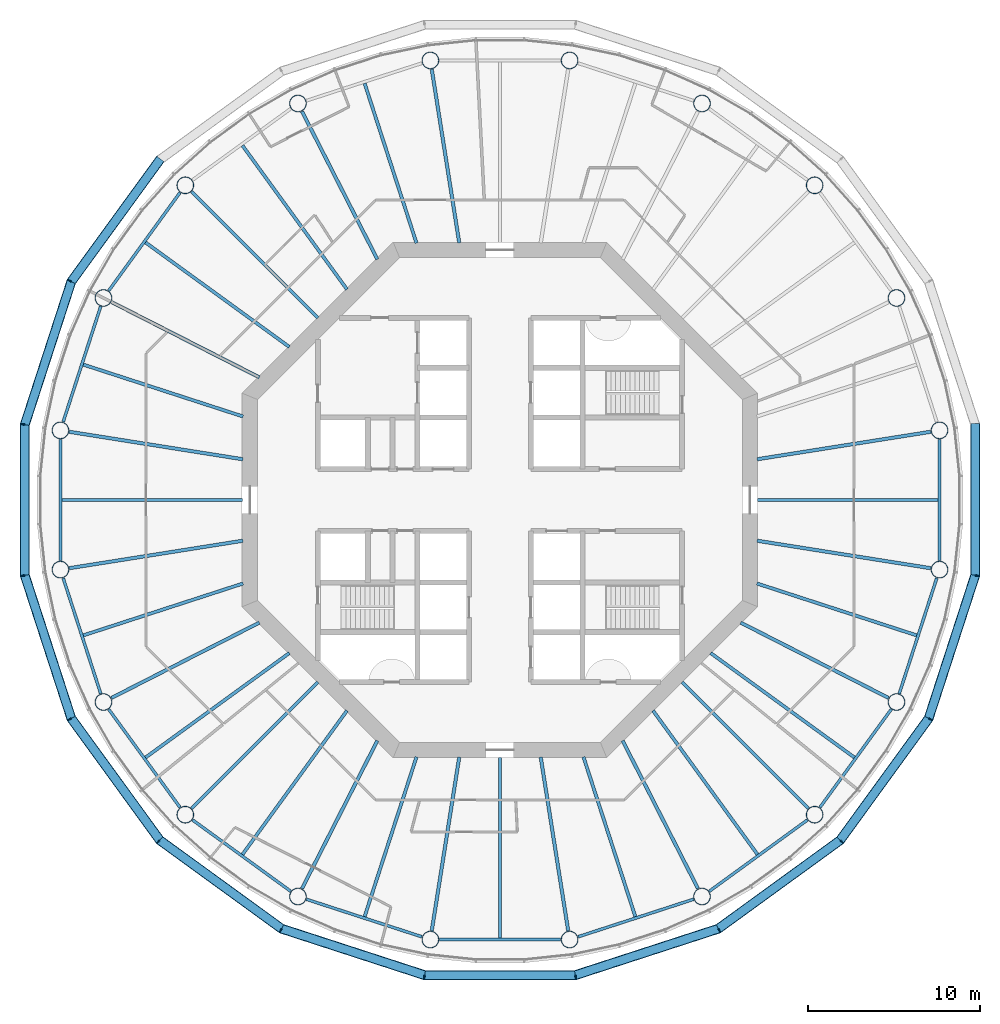
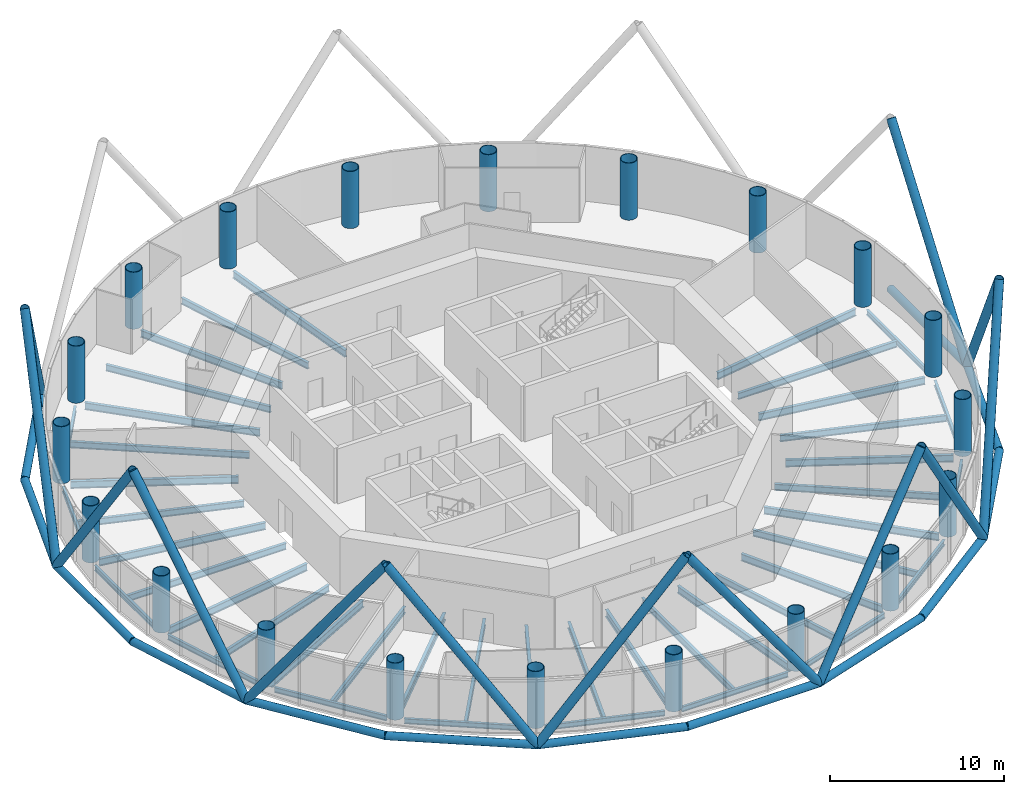
# One storey, part 1 of 12: 44 beams, 26 members, 20 columns.
"""IFC4 building model written with IfcOpenShell, lengths in metres."""

from ifc_helpers import new_model, si_unit, direction, frame, origin, origin_2d, place, context, subcontext, project, spatial, circle, hollow_circle, i_section, extrude, material, material_profile, profile_set, type_object, element, save


model = new_model("IFC4")

# Units and contexts
model_context = context("Model", 3, precision=1e-05, world=origin(), true_north=direction((0.0, 1.0)))
body_context = subcontext(model_context, "Body", "Model", "MODEL_VIEW")
ifc_project = project(units=[si_unit("LENGTHUNIT", "METRE"), si_unit("AREAUNIT", "SQUARE_METRE"), si_unit("VOLUMEUNIT", "CUBIC_METRE"), si_unit("PLANEANGLEUNIT", "RADIAN"), si_unit("MASSUNIT", "GRAM", prefix="KILO")], contexts=[model_context])

# Site, building, storey
site_placement = place(None, origin())
site = spatial("IfcSite", under=ifc_project, at=site_placement, CompositionType="ELEMENT")
building_placement = place(site_placement, origin())
building = spatial("IfcBuilding", under=site, at=building_placement, Name="Entoto Ring Tower", CompositionType="ELEMENT")
storey_placement = place(building_placement, frame((0.0, 0.0, 238.0)))
storey = spatial("IfcBuildingStorey", under=building, at=storey_placement, Name="L54", CompositionType="ELEMENT", Elevation=238.0)

# Columns
ifc_material_1 = material(Name="Steel S355", Category="steel")
ifc_material_profile_1 = material_profile(ifc_material_1, hollow_circle(Radius=0.5, WallThickness=0.0400390625, at=origin_2d()), Name="CHS 1000 x 40")
ifc_material_2 = material(Name="Concrete C60/75", Category="concrete")
ifc_material_profile_2 = material_profile(ifc_material_2, circle(Radius=0.4599609375, at=origin_2d()), Name="Concrete C60/75 infill")
ifc_profile_set_1 = profile_set([ifc_material_profile_1, ifc_material_profile_2], Name="Steel S355")
column_type = type_object("IfcColumnType", Name="Ring column 1000 x 40 concrete-filled tube", PredefinedType="COLUMN", material=ifc_profile_set_1)
for number, where, z_axis, x_axis, name in (
    (1, (115.5810546875, 84.0517578125, 0.0), (0.0, 0.0, 1.0), (1.0, 0.0, 0.0), "RC4 R01"),
    (2, (113.0771484375, 91.75830078125, 0.0), (0.0, 0.0, 1.0), (1.0, 0.0, 0.0), "RC4 R02"),
    (3, (108.31396484375, 98.31396484375, 0.0), (0.0, 0.0, 1.0), (1.0, 0.0, 0.0), "RC4 R03"),
    (4, (101.75830078125, 103.0771484375, 0.0), (0.0, 0.0, 1.0), (1.0, 0.0, 0.0), "RC4 R04"),
    (5, (94.0517578125, 105.5810546875, 0.0), (0.0, 0.0, 1.0), (1.0, 0.0, 0.0), "RC4 R05"),
    (6, (85.9482421875, 105.5810546875, 0.0), (0.0, 0.0, 1.0), (1.0, 0.0, 0.0), "RC4 R06"),
    (7, (78.24169921875, 103.0771484375, 0.0), (0.0, 0.0, 1.0), (1.0, 0.0, 0.0), "RC4 R07"),
    (8, (71.68603515625, 98.31396484375, 0.0), (0.0, 0.0, 1.0), (1.0, 0.0, 0.0), "RC4 R08"),
    (9, (66.9228515625, 91.75830078125, 0.0), (0.0, 0.0, 1.0), (1.0, 0.0, 0.0), "RC4 R09"),
    (10, (64.4189453125, 84.0517578125, 0.0), (0.0, 0.0, 1.0), (1.0, 0.0, 0.0), "RC4 R10"),
    (11, (64.4189453125, 75.9482421875, 0.0), (0.0, 0.0, 1.0), (1.0, 0.0, 0.0), "RC4 R11"),
    (12, (66.9228515625, 68.24169921875, 0.0), (0.0, 0.0, 1.0), (1.0, 0.0, 0.0), "RC4 R12"),
    (13, (71.68603515625, 61.68603515625, 0.0), (0.0, 0.0, 1.0), (1.0, 0.0, 0.0), "RC4 R13"),
    (14, (78.24169921875, 56.9228515625, 0.0), (0.0, 0.0, 1.0), (1.0, 0.0, 0.0), "RC4 R14"),
    (15, (85.9482421875, 54.4189453125, 0.0), (0.0, 0.0, 1.0), (1.0, 0.0, 0.0), "RC4 R15"),
    (16, (94.0517578125, 54.4189453125, 0.0), (0.0, 0.0, 1.0), (1.0, 0.0, 0.0), "RC4 R16"),
    (17, (101.75830078125, 56.9228515625, 0.0), (0.0, 0.0, 1.0), (1.0, 0.0, 0.0), "RC4 R17"),
    (18, (108.31396484375, 61.68603515625, 0.0), (0.0, 0.0, 1.0), (1.0, 0.0, 0.0), "RC4 R18"),
    (19, (113.0771484375, 68.24169921875, 0.0), (0.0, 0.0, 1.0), (1.0, 0.0, 0.0), "RC4 R19"),
    (20, (115.5810546875, 75.9482421875, 0.0), (0.0, 0.0, 1.0), (1.0, 0.0, 0.0), "RC4 R20"),
):
    element("IfcColumn", number, at=place(storey_placement, frame(where, z_axis=z_axis, x_axis=x_axis)), inside=storey, type_object=column_type, Name=name, PredefinedType="COLUMN", context=body_context, shape_type="SweptSolid", body=[
        extrude(hollow_circle(Radius=0.5, WallThickness=0.0400390625, at=origin_2d()), origin(), (0.0, 0.0, 1.0), 4.0),
    ])

# Members
ifc_material_3 = material(Name="Steel S355", Category="steel")
ifc_material_profile_3 = material_profile(ifc_material_3, hollow_circle(Radius=0.279541015625, WallThickness=0.028076171875, at=origin_2d()), Name="CHS 559 x 28")
ifc_material_4 = material(Name="Concrete C60/75", Category="concrete")
ifc_material_profile_4 = material_profile(ifc_material_4, circle(Radius=0.25146484375, at=origin_2d()), Name="Concrete C60/75 infill")
ifc_profile_set_2 = profile_set([ifc_material_profile_3, ifc_material_profile_4], Name="Steel S355")
member_type_1 = type_object("IfcMemberType", Name="Diagrid diagonal 559 x 28 concrete-filled tube", PredefinedType="BRACE", material=ifc_profile_set_2)
for number, where, z_axis, x_axis, name in (
    (21, (70.200927734375, 99.799072265625, 0.0), (-0.346570479178, -0.477025319356, 0.807673045022), (0.809024012567, -0.587775592458, 0.0), "DG5A module 18 08"),
    (22, (62.3447265625, 84.380126953125, 0.0), (0.182200752594, 0.56076685453, 0.807677795049), (-0.95105823263, 0.309011711991, 0.0), "DG5A module 18 09"),
    (23, (62.3447265625, 84.380126953125, 0.0), (0.0, -0.589622651769, 0.807678852342), (1.0, 0.0, 0.0), "DG5A module 18 10"),
    (24, (65.0517578125, 67.288330078125, 0.0), (-0.182200752594, 0.56076685453, 0.807677795049), (-0.95105823263, -0.309011711991, 0.0), "DG5A module 18 11"),
    (25, (65.0517578125, 67.288330078125, 0.0), (0.346570479178, -0.477025319356, 0.807673045022), (0.809024012567, 0.587775592458, 0.0), "DG5A module 18 12"),
    (26, (77.288330078125, 55.0517578125, 0.0), (-0.477025319356, 0.346570479178, 0.807673045022), (-0.587775592458, -0.809024012567, 0.0), "DG5A module 18 13"),
    (27, (77.288330078125, 55.0517578125, 0.0), (0.56076685453, -0.182200752594, 0.807677795049), (0.309011711991, 0.95105823263, 0.0), "DG5A module 18 14"),
    (28, (94.380126953125, 52.3447265625, 0.0), (-0.589622651769, 0.0, 0.807678852342), (0.0, -1.0, 0.0), "DG5A module 18 15"),
    (29, (94.380126953125, 52.3447265625, 0.0), (0.56076685453, 0.182200752594, 0.807677795049), (-0.309011711991, 0.95105823263, 0.0), "DG5A module 18 16"),
    (30, (109.799072265625, 60.200927734375, 0.0), (-0.477025319356, -0.346570479178, 0.807673045022), (0.587775592458, -0.809024012567, 0.0), "DG5A module 18 17"),
    (31, (109.799072265625, 60.200927734375, 0.0), (0.346570479178, 0.477025319356, 0.807673045022), (-0.809024012567, 0.587775592458, 0.0), "DG5A module 18 18"),
    (32, (117.6552734375, 75.619873046875, 0.0), (-0.182200752594, -0.56076685453, 0.807677795049), (0.95105823263, -0.309011711991, 0.0), "DG5A module 18 19"),
    (33, (117.6552734375, 75.619873046875, 0.0), (0.0, 0.589622651769, 0.807678852342), (-1.0, 0.0, 0.0), "DG5A module 18 20"),
):
    element("IfcMember", number, at=place(storey_placement, frame(where, z_axis=z_axis, x_axis=x_axis)), inside=storey, type_object=member_type_1, Name=name, PredefinedType="BRACE", context=body_context, shape_type="SweptSolid", body=[
        extrude(hollow_circle(Radius=0.279541015625, WallThickness=0.028076171875, at=origin_2d()), origin(), (0.0, 0.0, 1.0), 14.857421875),
    ])
ifc_material_5 = material(Name="Steel S355", Category="steel")
ifc_material_profile_5 = material_profile(ifc_material_5, hollow_circle(Radius=0.25390625, WallThickness=0.030029296875, at=origin_2d()), Name="CHS 508 x 30")
ifc_material_6 = material(Name="Concrete C60/75", Category="concrete")
ifc_material_profile_6 = material_profile(ifc_material_6, circle(Radius=0.22412109375, at=origin_2d()), Name="Concrete C60/75 infill")
ifc_profile_set_3 = profile_set([ifc_material_profile_5, ifc_material_profile_6], Name="Steel S355")
member_type_2 = type_object("IfcMemberType", Name="Diagrid ring beam 508 x 30", PredefinedType="CHORD", material=ifc_profile_set_3)
for number, where, z_axis, x_axis, name in (
    (34, (70.236328125, 99.84765625, 0.0), (-0.587790766961, -0.809012987705, 0.0), (0.809012987705, -0.587790766961, 0.0), "DR2 ring 17 07"),
    (35, (65.0703125, 92.76904296875, 0.0), (-0.309002151976, -0.951061338755, 0.0), (0.951061338755, -0.309002151976, 0.0), "DR2 ring 17 08"),
):
    element("IfcMember", number, at=place(storey_placement, frame(where, z_axis=z_axis, x_axis=x_axis)), inside=storey, type_object=member_type_2, Name=name, PredefinedType="CHORD", context=body_context, shape_type="SweptSolid", body=[
        extrude(hollow_circle(Radius=0.25390625, WallThickness=0.030029296875, at=origin_2d()), origin(), (0.0, 0.0, 1.0), 8.880615234375),
    ])
member_1_placement = place(storey_placement, frame((62.3447265625, 84.4404296875, 0.0), z_axis=(0.0, -1.0, 0.0), x_axis=(1.0, 0.0, 0.0)))
element("IfcMember", 36, at=member_1_placement, inside=storey, type_object=member_type_2, Name="DR2 ring 17 09", PredefinedType="CHORD", context=body_context, shape_type="SweptSolid", body=[
    extrude(hollow_circle(Radius=0.25390625, WallThickness=0.030029296875, at=origin_2d()), origin(), (0.0, 0.0, 1.0), 8.880859375),
])
for number, where, z_axis, x_axis, name in (
    (37, (62.326171875, 75.677001953125, 0.0), (0.309002151976, -0.951061338755, 0.0), (0.951061338755, 0.309002151976, 0.0), "DR2 ring 17 10"),
    (38, (65.016357421875, 67.3369140625, 0.0), (0.587790766961, -0.809012987705, 0.0), (0.809012987705, 0.587790766961, 0.0), "DR2 ring 17 11"),
    (39, (70.15234375, 60.236328125, 0.0), (0.809012987705, -0.587790766961, 0.0), (0.587790766961, 0.809012987705, 0.0), "DR2 ring 17 12"),
    (40, (77.23095703125, 55.0703125, 0.0), (0.951061338755, -0.309002151976, 0.0), (0.309002151976, 0.951061338755, 0.0), "DR2 ring 17 13"),
):
    element("IfcMember", number, at=place(storey_placement, frame(where, z_axis=z_axis, x_axis=x_axis)), inside=storey, type_object=member_type_2, Name=name, PredefinedType="CHORD", context=body_context, shape_type="SweptSolid", body=[
        extrude(hollow_circle(Radius=0.25390625, WallThickness=0.030029296875, at=origin_2d()), origin(), (0.0, 0.0, 1.0), 8.880615234375),
    ])
member_2_placement = place(storey_placement, frame((85.5595703125, 52.3447265625, 0.0), z_axis=(1.0, 0.0, 0.0), x_axis=(0.0, 1.0, 0.0)))
element("IfcMember", 41, at=member_2_placement, inside=storey, type_object=member_type_2, Name="DR2 ring 17 14", PredefinedType="CHORD", context=body_context, shape_type="SweptSolid", body=[
    extrude(hollow_circle(Radius=0.25390625, WallThickness=0.030029296875, at=origin_2d()), origin(), (0.0, 0.0, 1.0), 8.880859375),
])
for number, where, z_axis, x_axis, name in (
    (42, (94.322998046875, 52.326171875, 0.0), (0.951061338755, 0.309002151976, 0.0), (-0.309002151976, 0.951061338755, 0.0), "DR2 ring 17 15"),
    (43, (102.6630859375, 55.016357421875, 0.0), (0.809012987705, 0.587790766961, 0.0), (-0.587790766961, 0.809012987705, 0.0), "DR2 ring 17 16"),
    (44, (109.763671875, 60.15234375, 0.0), (0.587790766961, 0.809012987705, 0.0), (-0.809012987705, 0.587790766961, 0.0), "DR2 ring 17 17"),
    (45, (114.9296875, 67.23095703125, 0.0), (0.309002151976, 0.951061338755, 0.0), (-0.951061338755, 0.309002151976, 0.0), "DR2 ring 17 18"),
):
    element("IfcMember", number, at=place(storey_placement, frame(where, z_axis=z_axis, x_axis=x_axis)), inside=storey, type_object=member_type_2, Name=name, PredefinedType="CHORD", context=body_context, shape_type="SweptSolid", body=[
        extrude(hollow_circle(Radius=0.25390625, WallThickness=0.030029296875, at=origin_2d()), origin(), (0.0, 0.0, 1.0), 8.880615234375),
    ])
member_3_placement = place(storey_placement, frame((117.6552734375, 75.5595703125, 0.0), z_axis=(0.0, 1.0, 0.0), x_axis=(-1.0, 0.0, 0.0)))
element("IfcMember", 46, at=member_3_placement, inside=storey, type_object=member_type_2, Name="DR2 ring 17 19", PredefinedType="CHORD", context=body_context, shape_type="SweptSolid", body=[
    extrude(hollow_circle(Radius=0.25390625, WallThickness=0.030029296875, at=origin_2d()), origin(), (0.0, 0.0, 1.0), 8.880859375),
])

# Beams
ifc_material_7 = material(Name="Steel S355", Category="steel")
ifc_material_profile_7 = material_profile(ifc_material_7, i_section(OverallWidth=0.169921875, OverallDepth=0.360107421875, WebThickness=0.008056640625, FlangeThickness=0.0126953125, FilletRadius=0.01806640625, at=origin_2d()), Name="IPE 360")
ifc_profile_set_4 = profile_set([ifc_material_profile_7], Name="Steel S355")
beam_type_1 = type_object("IfcBeamType", Name="Edge beam IPE 360", PredefinedType="SPANDREL", material=ifc_profile_set_4)
for number, where, z_axis, x_axis, name in (
    (47, (71.37841796875, 97.890625, -0.330078125), (-0.587797242693, -0.809008282703, 0.0), (0.809008282703, -0.587797242693, 0.0), "Edge beam L54 08"),
    (48, (66.76123046875, 91.2607421875, -0.330078125), (-0.309015666013, -0.951056947905, 0.0), (0.951056947905, -0.309015666013, 0.0), "Edge beam L54 09"),
):
    element("IfcBeam", number, at=place(storey_placement, frame(where, z_axis=z_axis, x_axis=x_axis)), inside=storey, type_object=beam_type_1, Name=name, PredefinedType="SPANDREL", context=body_context, shape_type="SweptSolid", body=[
        extrude(i_section(OverallWidth=0.169921875, OverallDepth=0.360107421875, WebThickness=0.008056640625, FlangeThickness=0.0126953125, FilletRadius=0.01806640625, at=origin_2d()), origin(), (0.0, 0.0, 1.0), 7.056884765625),
    ])
beam_1_placement = place(storey_placement, frame((64.4189453125, 83.5283203125, -0.330078125), z_axis=(0.0, -1.0, 0.0), x_axis=(1.0, 0.0, 0.0)))
element("IfcBeam", 49, at=beam_1_placement, inside=storey, type_object=beam_type_1, Name="Edge beam L54 10", PredefinedType="SPANDREL", context=body_context, shape_type="SweptSolid", body=[
    extrude(i_section(OverallWidth=0.169921875, OverallDepth=0.360107421875, WebThickness=0.008056640625, FlangeThickness=0.0126953125, FilletRadius=0.01806640625, at=origin_2d()), origin(), (0.0, 0.0, 1.0), 7.056640625),
])
for number, where, z_axis, x_axis, name in (
    (50, (64.58056640625, 75.45068359375, -0.330078125), (0.309015666013, -0.951056947905, 0.0), (0.951056947905, 0.309015666013, 0.0), "Edge beam L54 11"),
    (51, (67.23046875, 67.818359375, -0.330078125), (0.587797242693, -0.809008282703, 0.0), (0.809008282703, 0.587797242693, 0.0), "Edge beam L54 12"),
    (52, (72.109375, 61.37841796875, -0.330078125), (0.809008282703, -0.587797242693, 0.0), (0.587797242693, 0.809008282703, 0.0), "Edge beam L54 13"),
    (53, (78.7392578125, 56.76123046875, -0.330078125), (0.951056947905, -0.309015666013, 0.0), (0.309015666013, 0.951056947905, 0.0), "Edge beam L54 14"),
):
    element("IfcBeam", number, at=place(storey_placement, frame(where, z_axis=z_axis, x_axis=x_axis)), inside=storey, type_object=beam_type_1, Name=name, PredefinedType="SPANDREL", context=body_context, shape_type="SweptSolid", body=[
        extrude(i_section(OverallWidth=0.169921875, OverallDepth=0.360107421875, WebThickness=0.008056640625, FlangeThickness=0.0126953125, FilletRadius=0.01806640625, at=origin_2d()), origin(), (0.0, 0.0, 1.0), 7.056884765625),
    ])
beam_2_placement = place(storey_placement, frame((86.4716796875, 54.4189453125, -0.330078125), z_axis=(1.0, 0.0, 0.0), x_axis=(0.0, 1.0, 0.0)))
element("IfcBeam", 54, at=beam_2_placement, inside=storey, type_object=beam_type_1, Name="Edge beam L54 15", PredefinedType="SPANDREL", context=body_context, shape_type="SweptSolid", body=[
    extrude(i_section(OverallWidth=0.169921875, OverallDepth=0.360107421875, WebThickness=0.008056640625, FlangeThickness=0.0126953125, FilletRadius=0.01806640625, at=origin_2d()), origin(), (0.0, 0.0, 1.0), 7.056640625),
])
for number, where, z_axis, x_axis, name in (
    (55, (94.54931640625, 54.58056640625, -0.330078125), (0.951056947905, 0.309015666013, 0.0), (-0.309015666013, 0.951056947905, 0.0), "Edge beam L54 16"),
    (56, (102.181640625, 57.23046875, -0.330078125), (0.809008282703, 0.587797242693, 0.0), (-0.587797242693, 0.809008282703, 0.0), "Edge beam L54 17"),
    (57, (108.62158203125, 62.109375, -0.330078125), (0.587797242693, 0.809008282703, 0.0), (-0.809008282703, 0.587797242693, 0.0), "Edge beam L54 18"),
    (58, (113.23876953125, 68.7392578125, -0.330078125), (0.309015666013, 0.951056947905, 0.0), (-0.951056947905, 0.309015666013, 0.0), "Edge beam L54 19"),
):
    element("IfcBeam", number, at=place(storey_placement, frame(where, z_axis=z_axis, x_axis=x_axis)), inside=storey, type_object=beam_type_1, Name=name, PredefinedType="SPANDREL", context=body_context, shape_type="SweptSolid", body=[
        extrude(i_section(OverallWidth=0.169921875, OverallDepth=0.360107421875, WebThickness=0.008056640625, FlangeThickness=0.0126953125, FilletRadius=0.01806640625, at=origin_2d()), origin(), (0.0, 0.0, 1.0), 7.056884765625),
    ])
beam_3_placement = place(storey_placement, frame((115.5810546875, 76.4716796875, -0.330078125), z_axis=(0.0, 1.0, 0.0), x_axis=(-1.0, 0.0, 0.0)))
element("IfcBeam", 59, at=beam_3_placement, inside=storey, type_object=beam_type_1, Name="Edge beam L54 20", PredefinedType="SPANDREL", context=body_context, shape_type="SweptSolid", body=[
    extrude(i_section(OverallWidth=0.169921875, OverallDepth=0.360107421875, WebThickness=0.008056640625, FlangeThickness=0.0126953125, FilletRadius=0.01806640625, at=origin_2d()), origin(), (0.0, 0.0, 1.0), 7.056640625),
])
ifc_material_8 = material(Name="Steel S355", Category="steel")
ifc_material_profile_8 = material_profile(ifc_material_8, i_section(OverallWidth=0.199951171875, OverallDepth=0.5, WebThickness=0.01025390625, FlangeThickness=0.01611328125, FilletRadius=0.02099609375, at=origin_2d()), Name="IPE 500")
ifc_profile_set_5 = profile_set([ifc_material_profile_8], Name="Steel S355")
beam_type_2 = type_object("IfcBeamType", Name="Primary floor beam IPE 500", PredefinedType="BEAM", material=ifc_profile_set_5)
for number, where, z_axis, x_axis, name in (
    (60, (104.964599609375, 82.3701171875, -0.39990234375), (0.987687565202, 0.156439360602, 0.0), (-0.156439360602, 0.987687565202, 0.0), "Primary L54 R01"),
    (61, (87.6298828125, 94.964599609375, -0.39990234375), (-0.156439360602, 0.987687565202, 0.0), (-0.987687565202, -0.156439360602, 0.0), "Primary L54 R06"),
):
    element("IfcBeam", number, at=place(storey_placement, frame(where, z_axis=z_axis, x_axis=x_axis)), inside=storey, type_object=beam_type_2, Name=name, PredefinedType="BEAM", context=body_context, shape_type="SweptSolid", body=[
        extrude(i_section(OverallWidth=0.199951171875, OverallDepth=0.5, WebThickness=0.01025390625, FlangeThickness=0.01611328125, FilletRadius=0.02099609375, at=origin_2d()), origin(), (0.0, 0.0, 1.0), 10.228271484375),
    ])
beam_4_placement = place(storey_placement, frame((82.863525390625, 94.006103515625, -0.39990234375), z_axis=(-0.453994308092, 0.891004583726, 0.0), x_axis=(-0.891004583726, -0.453994308092, 0.0)))
element("IfcBeam", 62, at=beam_4_placement, inside=storey, type_object=beam_type_2, Name="Primary L54 R07", PredefinedType="BEAM", context=body_context, shape_type="SweptSolid", body=[
    extrude(i_section(OverallWidth=0.199951171875, OverallDepth=0.5, WebThickness=0.01025390625, FlangeThickness=0.01611328125, FilletRadius=0.02099609375, at=origin_2d()), origin(), (0.0, 0.0, 1.0), 9.659912109375),
])
beam_5_placement = place(storey_placement, frame((79.407470703125, 90.592529296875, -0.39990234375), z_axis=(-0.707106781187, 0.707106781187, 0.0), x_axis=(-0.707106781187, -0.707106781187, 0.0)))
element("IfcBeam", 63, at=beam_5_placement, inside=storey, type_object=beam_type_2, Name="Primary L54 R08", PredefinedType="BEAM", context=body_context, shape_type="SweptSolid", body=[
    extrude(i_section(OverallWidth=0.199951171875, OverallDepth=0.5, WebThickness=0.01025390625, FlangeThickness=0.01611328125, FilletRadius=0.02099609375, at=origin_2d()), origin(), (0.0, 0.0, 1.0), 10.399169921875),
])
beam_6_placement = place(storey_placement, frame((75.993896484375, 87.136474609375, -0.39990234375), z_axis=(-0.891004583726, 0.453994308092, 0.0), x_axis=(-0.453994308092, -0.891004583726, 0.0)))
element("IfcBeam", 64, at=beam_6_placement, inside=storey, type_object=beam_type_2, Name="Primary L54 R09", PredefinedType="BEAM", context=body_context, shape_type="SweptSolid", body=[
    extrude(i_section(OverallWidth=0.199951171875, OverallDepth=0.5, WebThickness=0.01025390625, FlangeThickness=0.01611328125, FilletRadius=0.02099609375, at=origin_2d()), origin(), (0.0, 0.0, 1.0), 9.659912109375),
])
for number, where, z_axis, x_axis, name in (
    (65, (75.035400390625, 82.3701171875, -0.39990234375), (-0.987687565202, 0.156439360602, 0.0), (-0.156439360602, -0.987687565202, 0.0), "Primary L54 R10"),
    (66, (75.035400390625, 77.6298828125, -0.39990234375), (-0.987687565202, -0.156439360602, 0.0), (0.156439360602, -0.987687565202, 0.0), "Primary L54 R11"),
):
    element("IfcBeam", number, at=place(storey_placement, frame(where, z_axis=z_axis, x_axis=x_axis)), inside=storey, type_object=beam_type_2, Name=name, PredefinedType="BEAM", context=body_context, shape_type="SweptSolid", body=[
        extrude(i_section(OverallWidth=0.199951171875, OverallDepth=0.5, WebThickness=0.01025390625, FlangeThickness=0.01611328125, FilletRadius=0.02099609375, at=origin_2d()), origin(), (0.0, 0.0, 1.0), 10.228271484375),
    ])
beam_7_placement = place(storey_placement, frame((75.993896484375, 72.863525390625, -0.39990234375), z_axis=(-0.891004583726, -0.453994308092, 0.0), x_axis=(0.453994308092, -0.891004583726, 0.0)))
element("IfcBeam", 67, at=beam_7_placement, inside=storey, type_object=beam_type_2, Name="Primary L54 R12", PredefinedType="BEAM", context=body_context, shape_type="SweptSolid", body=[
    extrude(i_section(OverallWidth=0.199951171875, OverallDepth=0.5, WebThickness=0.01025390625, FlangeThickness=0.01611328125, FilletRadius=0.02099609375, at=origin_2d()), origin(), (0.0, 0.0, 1.0), 9.659912109375),
])
beam_8_placement = place(storey_placement, frame((79.407470703125, 69.407470703125, -0.39990234375), z_axis=(-0.707106781187, -0.707106781187, 0.0), x_axis=(0.707106781187, -0.707106781187, 0.0)))
element("IfcBeam", 68, at=beam_8_placement, inside=storey, type_object=beam_type_2, Name="Primary L54 R13", PredefinedType="BEAM", context=body_context, shape_type="SweptSolid", body=[
    extrude(i_section(OverallWidth=0.199951171875, OverallDepth=0.5, WebThickness=0.01025390625, FlangeThickness=0.01611328125, FilletRadius=0.02099609375, at=origin_2d()), origin(), (0.0, 0.0, 1.0), 10.399169921875),
])
beam_9_placement = place(storey_placement, frame((82.863525390625, 65.993896484375, -0.39990234375), z_axis=(-0.453994308092, -0.891004583726, 0.0), x_axis=(0.891004583726, -0.453994308092, 0.0)))
element("IfcBeam", 69, at=beam_9_placement, inside=storey, type_object=beam_type_2, Name="Primary L54 R14", PredefinedType="BEAM", context=body_context, shape_type="SweptSolid", body=[
    extrude(i_section(OverallWidth=0.199951171875, OverallDepth=0.5, WebThickness=0.01025390625, FlangeThickness=0.01611328125, FilletRadius=0.02099609375, at=origin_2d()), origin(), (0.0, 0.0, 1.0), 9.659912109375),
])
for number, where, z_axis, x_axis, name in (
    (70, (87.6298828125, 65.035400390625, -0.39990234375), (-0.156439360602, -0.987687565202, 0.0), (0.987687565202, -0.156439360602, 0.0), "Primary L54 R15"),
    (71, (92.3701171875, 65.035400390625, -0.39990234375), (0.156439360602, -0.987687565202, 0.0), (0.987687565202, 0.156439360602, 0.0), "Primary L54 R16"),
):
    element("IfcBeam", number, at=place(storey_placement, frame(where, z_axis=z_axis, x_axis=x_axis)), inside=storey, type_object=beam_type_2, Name=name, PredefinedType="BEAM", context=body_context, shape_type="SweptSolid", body=[
        extrude(i_section(OverallWidth=0.199951171875, OverallDepth=0.5, WebThickness=0.01025390625, FlangeThickness=0.01611328125, FilletRadius=0.02099609375, at=origin_2d()), origin(), (0.0, 0.0, 1.0), 10.228271484375),
    ])
beam_10_placement = place(storey_placement, frame((97.136474609375, 65.993896484375, -0.39990234375), z_axis=(0.453994308092, -0.891004583726, 0.0), x_axis=(0.891004583726, 0.453994308092, 0.0)))
element("IfcBeam", 72, at=beam_10_placement, inside=storey, type_object=beam_type_2, Name="Primary L54 R17", PredefinedType="BEAM", context=body_context, shape_type="SweptSolid", body=[
    extrude(i_section(OverallWidth=0.199951171875, OverallDepth=0.5, WebThickness=0.01025390625, FlangeThickness=0.01611328125, FilletRadius=0.02099609375, at=origin_2d()), origin(), (0.0, 0.0, 1.0), 9.659912109375),
])
beam_11_placement = place(storey_placement, frame((100.592529296875, 69.407470703125, -0.39990234375), z_axis=(0.707106781187, -0.707106781187, 0.0), x_axis=(0.707106781187, 0.707106781187, 0.0)))
element("IfcBeam", 73, at=beam_11_placement, inside=storey, type_object=beam_type_2, Name="Primary L54 R18", PredefinedType="BEAM", context=body_context, shape_type="SweptSolid", body=[
    extrude(i_section(OverallWidth=0.199951171875, OverallDepth=0.5, WebThickness=0.01025390625, FlangeThickness=0.01611328125, FilletRadius=0.02099609375, at=origin_2d()), origin(), (0.0, 0.0, 1.0), 10.399169921875),
])
beam_12_placement = place(storey_placement, frame((104.006103515625, 72.863525390625, -0.39990234375), z_axis=(0.891004583726, -0.453994308092, 0.0), x_axis=(0.453994308092, 0.891004583726, 0.0)))
element("IfcBeam", 74, at=beam_12_placement, inside=storey, type_object=beam_type_2, Name="Primary L54 R19", PredefinedType="BEAM", context=body_context, shape_type="SweptSolid", body=[
    extrude(i_section(OverallWidth=0.199951171875, OverallDepth=0.5, WebThickness=0.01025390625, FlangeThickness=0.01611328125, FilletRadius=0.02099609375, at=origin_2d()), origin(), (0.0, 0.0, 1.0), 9.659912109375),
])
beam_13_placement = place(storey_placement, frame((104.964599609375, 77.6298828125, -0.39990234375), z_axis=(0.987687565202, -0.156439360602, 0.0), x_axis=(0.156439360602, 0.987687565202, 0.0)))
element("IfcBeam", 75, at=beam_13_placement, inside=storey, type_object=beam_type_2, Name="Primary L54 R20", PredefinedType="BEAM", context=body_context, shape_type="SweptSolid", body=[
    extrude(i_section(OverallWidth=0.199951171875, OverallDepth=0.5, WebThickness=0.01025390625, FlangeThickness=0.01611328125, FilletRadius=0.02099609375, at=origin_2d()), origin(), (0.0, 0.0, 1.0), 10.228271484375),
])
ifc_material_9 = material(Name="Steel S355", Category="steel")
ifc_material_profile_9 = material_profile(ifc_material_9, i_section(OverallWidth=0.18994140625, OverallDepth=0.449951171875, WebThickness=0.009521484375, FlangeThickness=0.0146484375, FilletRadius=0.02099609375, at=origin_2d()), Name="IPE 450")
ifc_profile_set_6 = profile_set([ifc_material_profile_9], Name="Steel S355")
beam_type_3 = type_object("IfcBeamType", Name="Secondary floor beam IPE 450", PredefinedType="JOIST", material=ifc_profile_set_6)
beam_14_placement = place(storey_placement, frame((85.141845703125, 94.95166015625, -0.375), z_axis=(-0.309003053144, 0.951061045963, 0.0), x_axis=(-0.951061045963, -0.309003053144, 0.0)))
element("IfcBeam", 76, at=beam_14_placement, inside=storey, type_object=beam_type_3, Name="Secondary beam L54 06", PredefinedType="JOIST", context=body_context, shape_type="SweptSolid", body=[
    extrude(i_section(OverallWidth=0.18994140625, OverallDepth=0.449951171875, WebThickness=0.009521484375, FlangeThickness=0.0146484375, FilletRadius=0.02099609375, at=origin_2d()), origin(), (0.0, 0.0, 1.0), 9.77490234375),
])
for number, where, z_axis, x_axis, name in (
    (77, (81.093994140625, 92.258056640625, -0.375), (-0.58779413796, 0.809010538485, 0.0), (-0.809010538485, -0.58779413796, 0.0), "Secondary beam L54 07"),
    (78, (77.741943359375, 88.906005859375, -0.375), (-0.809010538485, 0.58779413796, 0.0), (-0.58779413796, -0.809010538485, 0.0), "Secondary beam L54 08"),
):
    element("IfcBeam", number, at=place(storey_placement, frame(where, z_axis=z_axis, x_axis=x_axis)), inside=storey, type_object=beam_type_3, Name=name, PredefinedType="JOIST", context=body_context, shape_type="SweptSolid", body=[
        extrude(i_section(OverallWidth=0.18994140625, OverallDepth=0.449951171875, WebThickness=0.009521484375, FlangeThickness=0.0146484375, FilletRadius=0.02099609375, at=origin_2d()), origin(), (0.0, 0.0, 1.0), 10.34423828125),
    ])
beam_15_placement = place(storey_placement, frame((75.04833984375, 84.858154296875, -0.375), z_axis=(-0.951061045963, 0.309003053144, 0.0), x_axis=(-0.309003053144, -0.951061045963, 0.0)))
element("IfcBeam", 79, at=beam_15_placement, inside=storey, type_object=beam_type_3, Name="Secondary beam L54 09", PredefinedType="JOIST", context=body_context, shape_type="SweptSolid", body=[
    extrude(i_section(OverallWidth=0.18994140625, OverallDepth=0.449951171875, WebThickness=0.009521484375, FlangeThickness=0.0146484375, FilletRadius=0.02099609375, at=origin_2d()), origin(), (0.0, 0.0, 1.0), 9.77490234375),
])
beam_16_placement = place(storey_placement, frame((75.02001953125, 80.0, -0.375), z_axis=(-1.0, 0.0, 0.0), x_axis=(0.0, -1.0, 0.0)))
element("IfcBeam", 80, at=beam_16_placement, inside=storey, type_object=beam_type_3, Name="Secondary beam L54 10", PredefinedType="JOIST", context=body_context, shape_type="SweptSolid", body=[
    extrude(i_section(OverallWidth=0.18994140625, OverallDepth=0.449951171875, WebThickness=0.009521484375, FlangeThickness=0.0146484375, FilletRadius=0.02099609375, at=origin_2d()), origin(), (0.0, 0.0, 1.0), 10.51611328125),
])
beam_17_placement = place(storey_placement, frame((75.04833984375, 75.141845703125, -0.375), z_axis=(-0.951061045963, -0.309003053144, 0.0), x_axis=(0.309003053144, -0.951061045963, 0.0)))
element("IfcBeam", 81, at=beam_17_placement, inside=storey, type_object=beam_type_3, Name="Secondary beam L54 11", PredefinedType="JOIST", context=body_context, shape_type="SweptSolid", body=[
    extrude(i_section(OverallWidth=0.18994140625, OverallDepth=0.449951171875, WebThickness=0.009521484375, FlangeThickness=0.0146484375, FilletRadius=0.02099609375, at=origin_2d()), origin(), (0.0, 0.0, 1.0), 9.77490234375),
])
for number, where, z_axis, x_axis, name in (
    (82, (77.741943359375, 71.093994140625, -0.375), (-0.809010538485, -0.58779413796, 0.0), (0.58779413796, -0.809010538485, 0.0), "Secondary beam L54 12"),
    (83, (81.093994140625, 67.741943359375, -0.375), (-0.58779413796, -0.809010538485, 0.0), (0.809010538485, -0.58779413796, 0.0), "Secondary beam L54 13"),
):
    element("IfcBeam", number, at=place(storey_placement, frame(where, z_axis=z_axis, x_axis=x_axis)), inside=storey, type_object=beam_type_3, Name=name, PredefinedType="JOIST", context=body_context, shape_type="SweptSolid", body=[
        extrude(i_section(OverallWidth=0.18994140625, OverallDepth=0.449951171875, WebThickness=0.009521484375, FlangeThickness=0.0146484375, FilletRadius=0.02099609375, at=origin_2d()), origin(), (0.0, 0.0, 1.0), 10.34423828125),
    ])
beam_18_placement = place(storey_placement, frame((85.141845703125, 65.04833984375, -0.375), z_axis=(-0.309003053144, -0.951061045963, 0.0), x_axis=(0.951061045963, -0.309003053144, 0.0)))
element("IfcBeam", 84, at=beam_18_placement, inside=storey, type_object=beam_type_3, Name="Secondary beam L54 14", PredefinedType="JOIST", context=body_context, shape_type="SweptSolid", body=[
    extrude(i_section(OverallWidth=0.18994140625, OverallDepth=0.449951171875, WebThickness=0.009521484375, FlangeThickness=0.0146484375, FilletRadius=0.02099609375, at=origin_2d()), origin(), (0.0, 0.0, 1.0), 9.77490234375),
])
beam_19_placement = place(storey_placement, frame((90.0, 65.02001953125, -0.375), z_axis=(0.0, -1.0, 0.0), x_axis=(1.0, 0.0, 0.0)))
element("IfcBeam", 85, at=beam_19_placement, inside=storey, type_object=beam_type_3, Name="Secondary beam L54 15", PredefinedType="JOIST", context=body_context, shape_type="SweptSolid", body=[
    extrude(i_section(OverallWidth=0.18994140625, OverallDepth=0.449951171875, WebThickness=0.009521484375, FlangeThickness=0.0146484375, FilletRadius=0.02099609375, at=origin_2d()), origin(), (0.0, 0.0, 1.0), 10.51611328125),
])
beam_20_placement = place(storey_placement, frame((94.858154296875, 65.04833984375, -0.375), z_axis=(0.309003053144, -0.951061045963, 0.0), x_axis=(0.951061045963, 0.309003053144, 0.0)))
element("IfcBeam", 86, at=beam_20_placement, inside=storey, type_object=beam_type_3, Name="Secondary beam L54 16", PredefinedType="JOIST", context=body_context, shape_type="SweptSolid", body=[
    extrude(i_section(OverallWidth=0.18994140625, OverallDepth=0.449951171875, WebThickness=0.009521484375, FlangeThickness=0.0146484375, FilletRadius=0.02099609375, at=origin_2d()), origin(), (0.0, 0.0, 1.0), 9.77490234375),
])
for number, where, z_axis, x_axis, name in (
    (87, (98.906005859375, 67.741943359375, -0.375), (0.58779413796, -0.809010538485, 0.0), (0.809010538485, 0.58779413796, 0.0), "Secondary beam L54 17"),
    (88, (102.258056640625, 71.093994140625, -0.375), (0.809010538485, -0.58779413796, 0.0), (0.58779413796, 0.809010538485, 0.0), "Secondary beam L54 18"),
):
    element("IfcBeam", number, at=place(storey_placement, frame(where, z_axis=z_axis, x_axis=x_axis)), inside=storey, type_object=beam_type_3, Name=name, PredefinedType="JOIST", context=body_context, shape_type="SweptSolid", body=[
        extrude(i_section(OverallWidth=0.18994140625, OverallDepth=0.449951171875, WebThickness=0.009521484375, FlangeThickness=0.0146484375, FilletRadius=0.02099609375, at=origin_2d()), origin(), (0.0, 0.0, 1.0), 10.34423828125),
    ])
beam_21_placement = place(storey_placement, frame((104.95166015625, 75.141845703125, -0.375), z_axis=(0.951061045963, -0.309003053144, 0.0), x_axis=(0.309003053144, 0.951061045963, 0.0)))
element("IfcBeam", 89, at=beam_21_placement, inside=storey, type_object=beam_type_3, Name="Secondary beam L54 19", PredefinedType="JOIST", context=body_context, shape_type="SweptSolid", body=[
    extrude(i_section(OverallWidth=0.18994140625, OverallDepth=0.449951171875, WebThickness=0.009521484375, FlangeThickness=0.0146484375, FilletRadius=0.02099609375, at=origin_2d()), origin(), (0.0, 0.0, 1.0), 9.77490234375),
])
beam_22_placement = place(storey_placement, frame((104.97998046875, 80.0, -0.375), z_axis=(1.0, 0.0, 0.0), x_axis=(0.0, 1.0, 0.0)))
element("IfcBeam", 90, at=beam_22_placement, inside=storey, type_object=beam_type_3, Name="Secondary beam L54 20", PredefinedType="JOIST", context=body_context, shape_type="SweptSolid", body=[
    extrude(i_section(OverallWidth=0.18994140625, OverallDepth=0.449951171875, WebThickness=0.009521484375, FlangeThickness=0.0146484375, FilletRadius=0.02099609375, at=origin_2d()), origin(), (0.0, 0.0, 1.0), 10.51611328125),
])

save(model, "model.ifc")
